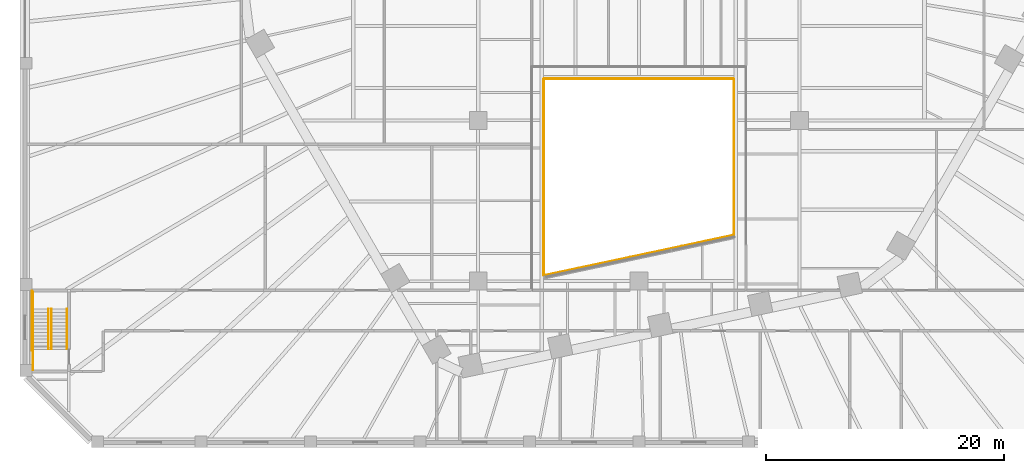
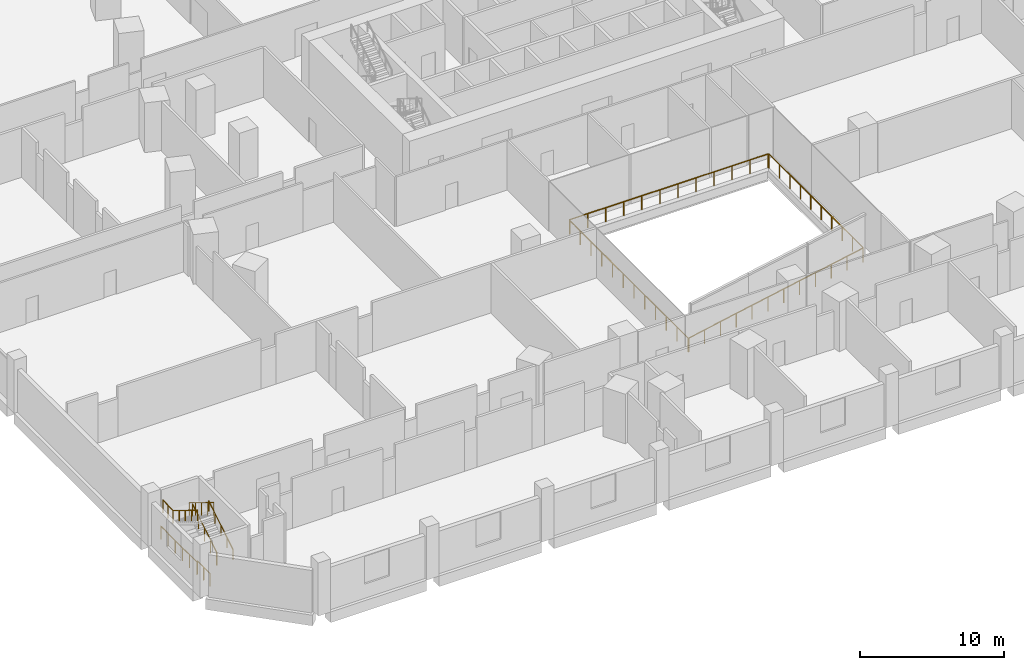
# One storey, part 25 of 29: 11 railings.
"""IFC4 building model written with IfcOpenShell, lengths in metres."""

from ifc_helpers import new_model, si_unit, direction, frame, origin, origin_2d, place, context, subcontext, project, spatial, circle, extrude, material, type_object, element, save


model = new_model("IFC4")

# Units and contexts
model_context = context("Model", 3, precision=1e-05, world=origin(), true_north=direction((0.0, 1.0)))
body_context = subcontext(model_context, "Body", "Model", "MODEL_VIEW")
ifc_project = project(units=[si_unit("LENGTHUNIT", "METRE"), si_unit("AREAUNIT", "SQUARE_METRE"), si_unit("VOLUMEUNIT", "CUBIC_METRE"), si_unit("PLANEANGLEUNIT", "RADIAN"), si_unit("MASSUNIT", "GRAM", prefix="KILO")], contexts=[model_context])

# Site, building, storey
site_placement = place(None, origin())
site = spatial("IfcSite", under=ifc_project, at=site_placement, CompositionType="ELEMENT")
building_placement = place(site_placement, origin())
building = spatial("IfcBuilding", under=site, at=building_placement, Name="Isthmus Gate Tower", CompositionType="ELEMENT")
storey_placement = place(building_placement, frame((0.0, 0.0, 27.0)))
storey = spatial("IfcBuildingStorey", under=building, at=storey_placement, Name="L04", CompositionType="ELEMENT", Elevation=27.0)

# Railings
ifc_material_1 = material(Name="Toughened laminated glass with stainless steel handrail", Category="steel")
railing_type_1 = type_object("IfcRailingType", Name="Atrium glass guard 1200", PredefinedType="GUARDRAIL", material=ifc_material_1)
railing_1_placement = place(storey_placement, frame((-7.951171875, -26.53369140625, 0.0)))
element("IfcRailing", 1, at=railing_1_placement, inside=storey, type_object=railing_type_1, Name="L04 atrium glass guard 1", PredefinedType="GUARDRAIL", context=body_context, shape_type="SweptSolid", body=[
    extrude(circle(Radius=0.030029296875, at=origin_2d()), frame((0.0, 0.0, 1.169921875), z_axis=(0.978147857881, 0.20791048103, 0.0), x_axis=(-0.20791048103, 0.978147857881, 0.0)), (0.0, 0.0, 1.0), 16.257568359375),
    extrude(circle(Radius=0.02490234375, at=origin_2d()), origin(), (0.0, 0.0, 1.0), 1.139892578125),
    extrude(circle(Radius=0.02490234375, at=origin_2d()), frame((1.445556640625, 0.307373046875, 0.0)), (0.0, 0.0, 1.0), 1.139892578125),
    extrude(circle(Radius=0.02490234375, at=origin_2d()), frame((2.891357421875, 0.614501953125, 0.0)), (0.0, 0.0, 1.0), 1.139892578125),
    extrude(circle(Radius=0.02490234375, at=origin_2d()), frame((4.3369140625, 0.921875, 0.0)), (0.0, 0.0, 1.0), 1.139892578125),
    extrude(circle(Radius=0.02490234375, at=origin_2d()), frame((5.78271484375, 1.229248046875, 0.0)), (0.0, 0.0, 1.0), 1.139892578125),
    extrude(circle(Radius=0.02490234375, at=origin_2d()), frame((7.228271484375, 1.536376953125, 0.0)), (0.0, 0.0, 1.0), 1.139892578125),
    extrude(circle(Radius=0.02490234375, at=origin_2d()), frame((8.674072265625, 1.84375, 0.0)), (0.0, 0.0, 1.0), 1.139892578125),
    extrude(circle(Radius=0.02490234375, at=origin_2d()), frame((10.11962890625, 2.15087890625, 0.0)), (0.0, 0.0, 1.0), 1.139892578125),
    extrude(circle(Radius=0.02490234375, at=origin_2d()), frame((11.5654296875, 2.458251953125, 0.0)), (0.0, 0.0, 1.0), 1.139892578125),
    extrude(circle(Radius=0.02490234375, at=origin_2d()), frame((13.010986328125, 2.765625, 0.0)), (0.0, 0.0, 1.0), 1.139892578125),
    extrude(circle(Radius=0.02490234375, at=origin_2d()), frame((14.456787109375, 3.07275390625, 0.0)), (0.0, 0.0, 1.0), 1.139892578125),
    extrude(circle(Radius=0.02490234375, at=origin_2d()), frame((15.90234375, 3.380126953125, 0.0)), (0.0, 0.0, 1.0), 1.139892578125),
])
railing_2_placement = place(storey_placement, frame((8.0, -23.09326171875, 0.0)))
element("IfcRailing", 2, at=railing_2_placement, inside=storey, type_object=railing_type_1, Name="L04 atrium glass guard 2", PredefinedType="GUARDRAIL", context=body_context, shape_type="SweptSolid", body=[
    extrude(circle(Radius=0.030029296875, at=origin_2d()), frame((0.0, 0.0, 1.169921875), z_axis=(0.0, 1.0, 0.0), x_axis=(-1.0, 0.0, 0.0)), (0.0, 0.0, 1.0), 13.043212890625),
    extrude(circle(Radius=0.02490234375, at=origin_2d()), origin(), (0.0, 0.0, 1.0), 1.139892578125),
    extrude(circle(Radius=0.02490234375, at=origin_2d()), frame((0.0, 1.44921875, 0.0)), (0.0, 0.0, 1.0), 1.139892578125),
    extrude(circle(Radius=0.02490234375, at=origin_2d()), frame((0.0, 2.8984375, 0.0)), (0.0, 0.0, 1.0), 1.139892578125),
    extrude(circle(Radius=0.02490234375, at=origin_2d()), frame((0.0, 4.34765625, 0.0)), (0.0, 0.0, 1.0), 1.139892578125),
    extrude(circle(Radius=0.02490234375, at=origin_2d()), frame((0.0, 5.796875, 0.0)), (0.0, 0.0, 1.0), 1.139892578125),
    extrude(circle(Radius=0.02490234375, at=origin_2d()), frame((0.0, 7.246337890625, 0.0)), (0.0, 0.0, 1.0), 1.139892578125),
    extrude(circle(Radius=0.02490234375, at=origin_2d()), frame((0.0, 8.695556640625, 0.0)), (0.0, 0.0, 1.0), 1.139892578125),
    extrude(circle(Radius=0.02490234375, at=origin_2d()), frame((0.0, 10.144775390625, 0.0)), (0.0, 0.0, 1.0), 1.139892578125),
    extrude(circle(Radius=0.02490234375, at=origin_2d()), frame((0.0, 11.593994140625, 0.0)), (0.0, 0.0, 1.0), 1.139892578125),
    extrude(circle(Radius=0.02490234375, at=origin_2d()), frame((0.0, 13.043212890625, 0.0)), (0.0, 0.0, 1.0), 1.139892578125),
])
railing_3_placement = place(storey_placement, frame((7.949951171875, -10.0, 0.0)))
element("IfcRailing", 3, at=railing_3_placement, inside=storey, type_object=railing_type_1, Name="L04 atrium glass guard 3", PredefinedType="GUARDRAIL", context=body_context, shape_type="SweptSolid", body=[
    extrude(circle(Radius=0.030029296875, at=origin_2d()), frame((0.0, 0.0, 1.169921875), z_axis=(-1.0, 0.0, 0.0), x_axis=(0.0, -1.0, 0.0)), (0.0, 0.0, 1.0), 15.89990234375),
    extrude(circle(Radius=0.02490234375, at=origin_2d()), origin(), (0.0, 0.0, 1.0), 1.139892578125),
    extrude(circle(Radius=0.02490234375, at=origin_2d()), frame((-1.445556640625, 0.0, 0.0)), (0.0, 0.0, 1.0), 1.139892578125),
    extrude(circle(Radius=0.02490234375, at=origin_2d()), frame((-2.890869140625, 0.0, 0.0)), (0.0, 0.0, 1.0), 1.139892578125),
    extrude(circle(Radius=0.02490234375, at=origin_2d()), frame((-4.33642578125, 0.0, 0.0)), (0.0, 0.0, 1.0), 1.139892578125),
    extrude(circle(Radius=0.02490234375, at=origin_2d()), frame((-5.78173828125, 0.0, 0.0)), (0.0, 0.0, 1.0), 1.139892578125),
    extrude(circle(Radius=0.02490234375, at=origin_2d()), frame((-7.227294921875, 0.0, 0.0)), (0.0, 0.0, 1.0), 1.139892578125),
    extrude(circle(Radius=0.02490234375, at=origin_2d()), frame((-8.672607421875, 0.0, 0.0)), (0.0, 0.0, 1.0), 1.139892578125),
    extrude(circle(Radius=0.02490234375, at=origin_2d()), frame((-10.1181640625, 0.0, 0.0)), (0.0, 0.0, 1.0), 1.139892578125),
    extrude(circle(Radius=0.02490234375, at=origin_2d()), frame((-11.5634765625, 0.0, 0.0)), (0.0, 0.0, 1.0), 1.139892578125),
    extrude(circle(Radius=0.02490234375, at=origin_2d()), frame((-13.009033203125, 0.0, 0.0)), (0.0, 0.0, 1.0), 1.139892578125),
    extrude(circle(Radius=0.02490234375, at=origin_2d()), frame((-14.454345703125, 0.0, 0.0)), (0.0, 0.0, 1.0), 1.139892578125),
    extrude(circle(Radius=0.02490234375, at=origin_2d()), frame((-15.89990234375, 0.0, 0.0)), (0.0, 0.0, 1.0), 1.139892578125),
])
railing_4_placement = place(storey_placement, frame((-8.0, -10.050048828125, 0.0)))
element("IfcRailing", 4, at=railing_4_placement, inside=storey, type_object=railing_type_1, Name="L04 atrium glass guard 4", PredefinedType="GUARDRAIL", context=body_context, shape_type="SweptSolid", body=[
    extrude(circle(Radius=0.030029296875, at=origin_2d()), frame((0.0, 0.0, 1.169921875), z_axis=(0.0, -1.0, 0.0), x_axis=(1.0, 0.0, 0.0)), (0.0, 0.0, 1.0), 16.444091796875),
    extrude(circle(Radius=0.02490234375, at=origin_2d()), origin(), (0.0, 0.0, 1.0), 1.139892578125),
    extrude(circle(Radius=0.02490234375, at=origin_2d()), frame((0.0, -1.494873046875, 0.0)), (0.0, 0.0, 1.0), 1.139892578125),
    extrude(circle(Radius=0.02490234375, at=origin_2d()), frame((0.0, -2.98974609375, 0.0)), (0.0, 0.0, 1.0), 1.139892578125),
    extrude(circle(Radius=0.02490234375, at=origin_2d()), frame((0.0, -4.48486328125, 0.0)), (0.0, 0.0, 1.0), 1.139892578125),
    extrude(circle(Radius=0.02490234375, at=origin_2d()), frame((0.0, -5.979736328125, 0.0)), (0.0, 0.0, 1.0), 1.139892578125),
    extrude(circle(Radius=0.02490234375, at=origin_2d()), frame((0.0, -7.474609375, 0.0)), (0.0, 0.0, 1.0), 1.139892578125),
    extrude(circle(Radius=0.02490234375, at=origin_2d()), frame((0.0, -8.969482421875, 0.0)), (0.0, 0.0, 1.0), 1.139892578125),
    extrude(circle(Radius=0.02490234375, at=origin_2d()), frame((0.0, -10.46435546875, 0.0)), (0.0, 0.0, 1.0), 1.139892578125),
    extrude(circle(Radius=0.02490234375, at=origin_2d()), frame((0.0, -11.959228515625, 0.0)), (0.0, 0.0, 1.0), 1.139892578125),
    extrude(circle(Radius=0.02490234375, at=origin_2d()), frame((0.0, -13.454345703125, 0.0)), (0.0, 0.0, 1.0), 1.139892578125),
    extrude(circle(Radius=0.02490234375, at=origin_2d()), frame((0.0, -14.94921875, 0.0)), (0.0, 0.0, 1.0), 1.139892578125),
    extrude(circle(Radius=0.02490234375, at=origin_2d()), frame((0.0, -16.444091796875, 0.0)), (0.0, 0.0, 1.0), 1.139892578125),
])
ifc_material_2 = material(Name="Painted steel balusters with timber handrail", Category="steel")
railing_type_2 = type_object("IfcRailingType", Name="Podium stair guard 1100", PredefinedType="GUARDRAIL", material=ifc_material_2)
railing_5_placement = place(storey_placement, frame((-49.35009765625, -32.72509765625, 0.173095703125)))
element("IfcRailing", 5, at=railing_5_placement, inside=storey, type_object=railing_type_2, Name="L04 ST3 stair guard 1", PredefinedType="GUARDRAIL", context=body_context, shape_type="SweptSolid", body=[
    extrude(circle(Radius=0.02392578125, at=origin_2d()), frame((0.0, 0.0, 1.076171875), z_axis=(0.0, 0.850623216509, 0.525775754039), x_axis=(-1.0, 0.0, 0.0)), (0.0, 0.0, 1.0), 3.9501953125),
    extrude(circle(Radius=0.02099609375, at=origin_2d()), origin(), (0.0, 0.0, 1.0), 1.052001953125),
    extrude(circle(Radius=0.02099609375, at=origin_2d()), frame((0.0, 0.840087890625, 0.519287109375)), (0.0, 0.0, 1.0), 1.052001953125),
    extrude(circle(Radius=0.02099609375, at=origin_2d()), frame((0.0, 1.68017578125, 1.03857421875)), (0.0, 0.0, 1.0), 1.052001953125),
    extrude(circle(Radius=0.02099609375, at=origin_2d()), frame((0.0, 2.52001953125, 1.5576171875)), (0.0, 0.0, 1.0), 1.052001953125),
    extrude(circle(Radius=0.02099609375, at=origin_2d()), frame((0.0, 3.360107421875, 2.076904296875)), (0.0, 0.0, 1.0), 1.052001953125),
])
railing_6_placement = place(storey_placement, frame((-50.89990234375, -29.364990234375, 2.25)))
element("IfcRailing", 6, at=railing_6_placement, inside=storey, type_object=railing_type_2, Name="L04 ST3 stair guard 2", PredefinedType="GUARDRAIL", context=body_context, shape_type="SweptSolid", body=[
    extrude(circle(Radius=0.02392578125, at=origin_2d()), frame((0.0, 0.0, 1.076171875), z_axis=(0.0, 1.0, 0.0), x_axis=(-1.0, 0.0, 0.0)), (0.0, 0.0, 1.0), 1.43603515625),
    extrude(circle(Radius=0.02099609375, at=origin_2d()), origin(), (0.0, 0.0, 1.0), 1.052001953125),
    extrude(circle(Radius=0.02099609375, at=origin_2d()), frame((0.0, 0.718017578125, 0.0)), (0.0, 0.0, 1.0), 1.052001953125),
    extrude(circle(Radius=0.02099609375, at=origin_2d()), frame((0.0, 1.43603515625, 0.0)), (0.0, 0.0, 1.0), 1.052001953125),
])
railing_7_placement = place(storey_placement, frame((-49.60009765625, -29.364990234375, 2.423095703125)))
element("IfcRailing", 7, at=railing_7_placement, inside=storey, type_object=railing_type_2, Name="L04 ST3 stair guard 3", PredefinedType="GUARDRAIL", context=body_context, shape_type="SweptSolid", body=[
    extrude(circle(Radius=0.02392578125, at=origin_2d()), frame((0.0, 0.0, 1.076171875), z_axis=(0.0, -0.850623216509, 0.525775754039), x_axis=(1.0, 0.0, 0.0)), (0.0, 0.0, 1.0), 3.9501953125),
    extrude(circle(Radius=0.02099609375, at=origin_2d()), origin(), (0.0, 0.0, 1.0), 1.052001953125),
    extrude(circle(Radius=0.02099609375, at=origin_2d()), frame((0.0, -0.840087890625, 0.519287109375)), (0.0, 0.0, 1.0), 1.052001953125),
    extrude(circle(Radius=0.02099609375, at=origin_2d()), frame((0.0, -1.68017578125, 1.03857421875)), (0.0, 0.0, 1.0), 1.052001953125),
    extrude(circle(Radius=0.02099609375, at=origin_2d()), frame((0.0, -2.52001953125, 1.5576171875)), (0.0, 0.0, 1.0), 1.052001953125),
    extrude(circle(Radius=0.02099609375, at=origin_2d()), frame((0.0, -3.360107421875, 2.076904296875)), (0.0, 0.0, 1.0), 1.052001953125),
])
railing_8_placement = place(storey_placement, frame((-50.89990234375, -34.47509765625, 0.0)))
element("IfcRailing", 8, at=railing_8_placement, inside=storey, type_object=railing_type_2, Name="L04 ST3 stair guard 4", PredefinedType="GUARDRAIL", context=body_context, shape_type="SweptSolid", body=[
    extrude(circle(Radius=0.02392578125, at=origin_2d()), frame((0.0, 0.0, 1.076171875), z_axis=(0.0, 1.0, 0.0), x_axis=(-1.0, 0.0, 0.0)), (0.0, 0.0, 1.0), 1.75),
    extrude(circle(Radius=0.02099609375, at=origin_2d()), origin(), (0.0, 0.0, 1.0), 1.052001953125),
    extrude(circle(Radius=0.02099609375, at=origin_2d()), frame((0.0, 0.875, 0.0)), (0.0, 0.0, 1.0), 1.052001953125),
    extrude(circle(Radius=0.02099609375, at=origin_2d()), frame((0.0, 1.75, 0.0)), (0.0, 0.0, 1.0), 1.052001953125),
])
railing_9_placement = place(storey_placement, frame((-51.0, -32.824951171875, 0.0)))
element("IfcRailing", 9, at=railing_9_placement, inside=storey, type_object=railing_type_2, Name="L04 ST3 stair guard 5", PredefinedType="GUARDRAIL", context=body_context, shape_type="SweptSolid", body=[
    extrude(circle(Radius=0.02392578125, at=origin_2d()), frame((0.0, 0.0, 1.076171875), z_axis=(0.0, 1.0, 0.0), x_axis=(-1.0, 0.0, 0.0)), (0.0, 0.0, 1.0), 4.995849609375),
    extrude(circle(Radius=0.02099609375, at=origin_2d()), origin(), (0.0, 0.0, 1.0), 1.052001953125),
    extrude(circle(Radius=0.02099609375, at=origin_2d()), frame((0.0, 0.999267578125, 0.0)), (0.0, 0.0, 1.0), 1.052001953125),
    extrude(circle(Radius=0.02099609375, at=origin_2d()), frame((0.0, 1.998291015625, 0.0)), (0.0, 0.0, 1.0), 1.052001953125),
    extrude(circle(Radius=0.02099609375, at=origin_2d()), frame((0.0, 2.99755859375, 0.0)), (0.0, 0.0, 1.0), 1.052001953125),
    extrude(circle(Radius=0.02099609375, at=origin_2d()), frame((0.0, 3.99658203125, 0.0)), (0.0, 0.0, 1.0), 1.052001953125),
    extrude(circle(Radius=0.02099609375, at=origin_2d()), frame((0.0, 4.995849609375, 0.0)), (0.0, 0.0, 1.0), 1.052001953125),
])
ifc_material_3 = material(Name="Stainless steel tube", Category="steel")
railing_type_3 = type_object("IfcRailingType", Name="Podium stair handrail 900", PredefinedType="HANDRAIL", material=ifc_material_3)
railing_10_placement = place(storey_placement, frame((-48.050048828125, -32.72509765625, 0.173095703125)))
element("IfcRailing", 10, at=railing_10_placement, inside=storey, type_object=railing_type_3, Name="L04 ST3 stair handrail 1", PredefinedType="HANDRAIL", context=body_context, shape_type="SweptSolid", body=[
    extrude(circle(Radius=0.02392578125, at=origin_2d()), frame((0.0, 0.0, 0.8759765625), z_axis=(0.0, 0.850623216509, 0.525775754039), x_axis=(-1.0, 0.0, 0.0)), (0.0, 0.0, 1.0), 3.9501953125),
    extrude(circle(Radius=0.02099609375, at=origin_2d()), origin(), (0.0, 0.0, 1.0), 0.851806640625),
    extrude(circle(Radius=0.02099609375, at=origin_2d()), frame((0.0, 0.840087890625, 0.519287109375)), (0.0, 0.0, 1.0), 0.851806640625),
    extrude(circle(Radius=0.02099609375, at=origin_2d()), frame((0.0, 1.68017578125, 1.03857421875)), (0.0, 0.0, 1.0), 0.851806640625),
    extrude(circle(Radius=0.02099609375, at=origin_2d()), frame((0.0, 2.52001953125, 1.5576171875)), (0.0, 0.0, 1.0), 0.851806640625),
    extrude(circle(Radius=0.02099609375, at=origin_2d()), frame((0.0, 3.360107421875, 2.076904296875)), (0.0, 0.0, 1.0), 0.851806640625),
])
railing_11_placement = place(storey_placement, frame((-50.89990234375, -29.364990234375, 2.423095703125)))
element("IfcRailing", 11, at=railing_11_placement, inside=storey, type_object=railing_type_3, Name="L04 ST3 stair handrail 2", PredefinedType="HANDRAIL", context=body_context, shape_type="SweptSolid", body=[
    extrude(circle(Radius=0.02392578125, at=origin_2d()), frame((0.0, 0.0, 0.8759765625), z_axis=(0.0, -0.850623216509, 0.525775754039), x_axis=(1.0, 0.0, 0.0)), (0.0, 0.0, 1.0), 3.9501953125),
    extrude(circle(Radius=0.02099609375, at=origin_2d()), origin(), (0.0, 0.0, 1.0), 0.851806640625),
    extrude(circle(Radius=0.02099609375, at=origin_2d()), frame((0.0, -0.840087890625, 0.519287109375)), (0.0, 0.0, 1.0), 0.851806640625),
    extrude(circle(Radius=0.02099609375, at=origin_2d()), frame((0.0, -1.68017578125, 1.03857421875)), (0.0, 0.0, 1.0), 0.851806640625),
    extrude(circle(Radius=0.02099609375, at=origin_2d()), frame((0.0, -2.52001953125, 1.5576171875)), (0.0, 0.0, 1.0), 0.851806640625),
    extrude(circle(Radius=0.02099609375, at=origin_2d()), frame((0.0, -3.360107421875, 2.076904296875)), (0.0, 0.0, 1.0), 0.851806640625),
])

save(model, "model.ifc")
